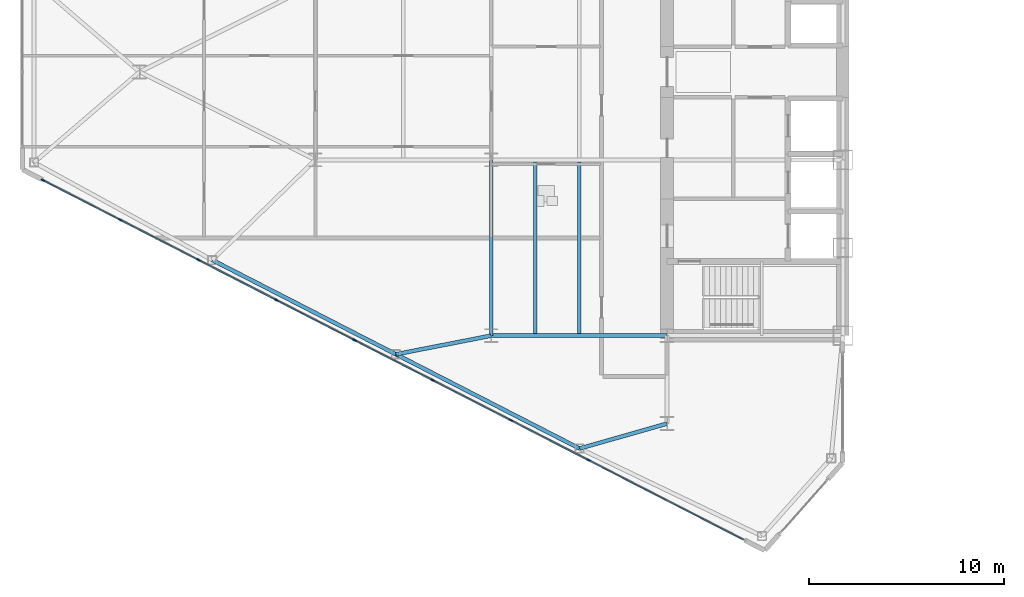
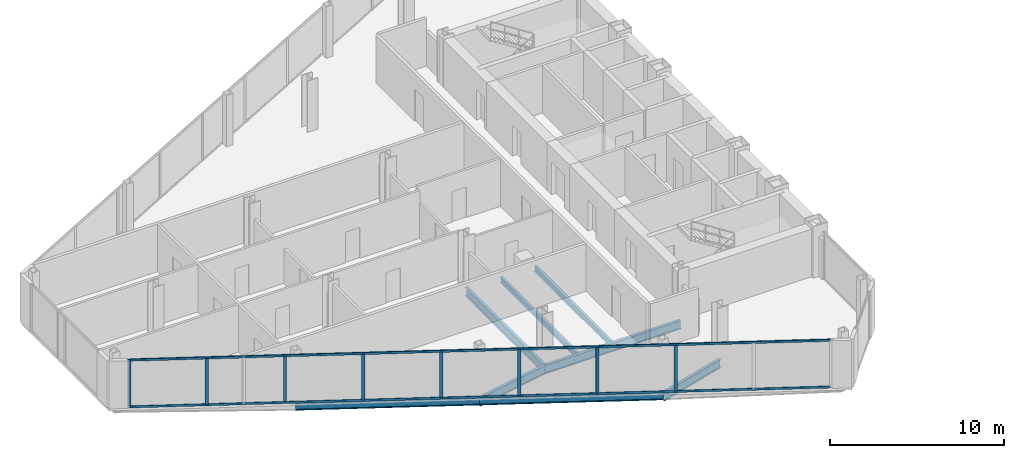
# One storey, part 3 of 23: 10 members, 8 beams, 1 element without a shape of its own.
"""IFC4 building model written with IfcOpenShell, lengths in metres."""

import ifcopenshell
import ifcopenshell.guid

model = None  # the IFC model being written
_history = None  # IfcOwnerHistory: only IFC2X3 demands one
_inside = {}  # id of a spatial element -> (the spatial element, [elements in it])
_under = {}  # id of a project, library or spatial element -> (it, [spatial elements below it])
_declared = {}  # id of a project -> (the project, [libraries it declares])
_typed = {}  # id of a type object -> (the type object, [elements of that type])
_made_of = {}  # id of a material, layer set ... -> (it, [elements and type objects made of it])


def new_model(schema):
    """Start an empty IFC model of exactly this schema.

    Asked for "IFC4X3", IfcOpenShell would pick the latest addendum, in which some entities
    have other attributes; the version numbers below select the first issue.
    IFC2X3 requires an IfcOwnerHistory on every rooted entity: one is made here for all.
    """
    global model, _history
    if schema == "IFC4X3":
        model = ifcopenshell.file(schema_version=(4, 3, 0, 0))
    else:
        model = ifcopenshell.file(schema=schema)
    _inside.clear()
    _under.clear()
    _declared.clear()
    _typed.clear()
    _made_of.clear()
    _history = None
    if model.schema == "IFC2X3":
        org = make("IfcOrganization", Name="unknown")
        user = make(
            "IfcPersonAndOrganization",
            ThePerson=make("IfcPerson", FamilyName="unknown"),
            TheOrganization=org,
        )
        app = make(
            "IfcApplication",
            ApplicationDeveloper=org,
            Version="unknown",
            ApplicationFullName="unknown",
            ApplicationIdentifier="unknown",
        )
        _history = make(
            "IfcOwnerHistory",
            OwningUser=user,
            OwningApplication=app,
            ChangeAction="ADDED",
            CreationDate=0,
        )
    return model


def make(cls, **values):
    """One entity of the class cls with the attributes given. An attribute that is None is left unset."""
    return model.create_entity(
        cls, **{name: value for name, value in values.items() if value is not None}
    )


def rooted(cls, **values):
    """An entity with a GlobalId (a new one), such as an element, a storey or a relation."""
    return make(cls, GlobalId=ifcopenshell.guid.new(), OwnerHistory=_history, **values)


def si_unit(unit_type, name, prefix=None):
    """IfcSIUnit, for example si_unit("LENGTHUNIT", "METRE", prefix="MILLI")."""
    return make("IfcSIUnit", UnitType=unit_type, Prefix=prefix, Name=name)


def assignment(units):
    """IfcUnitAssignment: the units of a project."""
    return None if units is None else make("IfcUnitAssignment", Units=units)


def point(xyz):
    """IfcCartesianPoint."""
    return None if xyz is None else make("IfcCartesianPoint", Coordinates=xyz)


def direction(xyz):
    """IfcDirection."""
    return None if xyz is None else make("IfcDirection", DirectionRatios=xyz)


def frame(location, z_axis=None, x_axis=None):
    """IfcAxis2Placement3D, a coordinate frame: its origin and axes. An axis left out is left unset."""
    return make(
        "IfcAxis2Placement3D",
        Location=point(location),
        Axis=direction(z_axis),
        RefDirection=direction(x_axis),
    )


def frame_2d(location, x_axis=None):
    """IfcAxis2Placement2D, a coordinate frame in the plane: its origin and x axis."""
    return make(
        "IfcAxis2Placement2D", Location=point(location), RefDirection=direction(x_axis)
    )


def origin():
    """The frame at (0, 0, 0) with its axes left unset."""
    return frame((0.0, 0.0, 0.0))


def origin_2d():
    """The frame at (0, 0) in the plane with its x axis left unset."""
    return frame_2d((0.0, 0.0))


def place(relative_to, where):
    """IfcLocalPlacement: puts the frame where relative to a parent placement (None: the world)."""
    return make(
        "IfcLocalPlacement", PlacementRelTo=relative_to, RelativePlacement=where
    )


def context(
    kind, dimensions, precision=None, world=None, true_north=None, identifier=None
):
    """IfcGeometricRepresentationContext, for example the 3D "Model" context."""
    return make(
        "IfcGeometricRepresentationContext",
        ContextIdentifier=identifier,
        ContextType=kind,
        CoordinateSpaceDimension=dimensions,
        Precision=precision,
        WorldCoordinateSystem=world,
        TrueNorth=true_north,
    )


def subcontext(parent, identifier, kind, view, scale=None):
    """IfcGeometricRepresentationSubContext, for example "Body" below "Model"."""
    return make(
        "IfcGeometricRepresentationSubContext",
        ContextIdentifier=identifier,
        ContextType=kind,
        ParentContext=parent,
        TargetScale=scale,
        TargetView=view,
    )


def project(units=None, contexts=None):
    """IfcProject with its units and contexts."""
    return rooted(
        "IfcProject",
        Name="project",
        RepresentationContexts=contexts,
        UnitsInContext=assignment(units),
    )


def spatial(cls, under=None, at=None, **own):
    """A site, building, storey or space (cls), placed at a placement, below another one or the project."""
    s = rooted(cls, ObjectPlacement=at, **own)
    if under is not None:
        _under.setdefault(under.id(), (under, []))[1].append(s)
    return s


def profile(cls, at=None, kind="AREA", **sizes):
    """A parametric profile (cls). Its sizes go by their IFC names, for example OverallWidth=200.0."""
    return make(cls, ProfileType=kind, Position=at, **sizes)


def rectangle(**sizes):
    """IfcRectangleProfileDef."""
    return profile("IfcRectangleProfileDef", **sizes)


def i_section(**sizes):
    """IfcIShapeProfileDef."""
    return profile("IfcIShapeProfileDef", **sizes)


def extrude(swept, where, along, depth):
    """IfcExtrudedAreaSolid: the profile swept, set in the frame where, extruded along a direction by depth."""
    return make(
        "IfcExtrudedAreaSolid",
        SweptArea=swept,
        Position=where,
        ExtrudedDirection=direction(along),
        Depth=depth,
    )


def shape(context_of_items, identifier, shape_type, items):
    """IfcShapeRepresentation: the items that make up one representation, for example the "Body"."""
    return make(
        "IfcShapeRepresentation",
        ContextOfItems=context_of_items,
        RepresentationIdentifier=identifier,
        RepresentationType=shape_type,
        Items=items,
    )


def source(mapping_origin, context_of_items, identifier, shape_type, items):
    """IfcRepresentationMap: a shape defined once, which mapped items show again and again."""
    return make(
        "IfcRepresentationMap",
        MappingOrigin=mapping_origin,
        MappedRepresentation=shape(context_of_items, identifier, shape_type, items),
    )


def transform(
    local_origin,
    x_axis=None,
    y_axis=None,
    z_axis=None,
    scale=None,
    scale2=None,
    scale3=None,
    uniform=True,
):
    """IfcCartesianTransformationOperator3D, or its non-uniform kind. x_axis, y_axis, z_axis: its Axis1, 2, 3."""
    if uniform:
        return make(
            "IfcCartesianTransformationOperator3D",
            Axis1=direction(x_axis),
            Axis2=direction(y_axis),
            LocalOrigin=point(local_origin),
            Scale=scale,
            Axis3=direction(z_axis),
        )
    return make(
        "IfcCartesianTransformationOperator3DnonUniform",
        Axis1=direction(x_axis),
        Axis2=direction(y_axis),
        LocalOrigin=point(local_origin),
        Scale=scale,
        Axis3=direction(z_axis),
        Scale2=scale2,
        Scale3=scale3,
    )


def mapped(mapping_source, mapping_target):
    """IfcMappedItem: shows the shape of a source again, moved by a transform."""
    return make(
        "IfcMappedItem", MappingSource=mapping_source, MappingTarget=mapping_target
    )


def material(Name=None, Category=None):
    """IfcMaterial."""
    return make("IfcMaterial", Name=Name, Category=Category)


def layer(
    of_material, thickness, ventilated=None, Name=None, Category=None, Priority=None
):
    """IfcMaterialLayer: one layer of a wall or slab, of a material (None: an air gap)."""
    return make(
        "IfcMaterialLayer",
        Material=of_material,
        LayerThickness=thickness,
        IsVentilated=ventilated,
        Name=Name,
        Category=Category,
        Priority=Priority,
    )


def layer_set(layers, Name=None):
    """IfcMaterialLayerSet."""
    return make("IfcMaterialLayerSet", MaterialLayers=layers, LayerSetName=Name)


def material_profile(
    of_material, cross_section, Name=None, Category=None, Priority=None
):
    """IfcMaterialProfile: a cross section and its material."""
    return make(
        "IfcMaterialProfile",
        Name=Name,
        Material=of_material,
        Profile=cross_section,
        Priority=Priority,
        Category=Category,
    )


def profile_set(profiles, Name=None, composite=None):
    """IfcMaterialProfileSet."""
    return make(
        "IfcMaterialProfileSet",
        Name=Name,
        MaterialProfiles=profiles,
        CompositeProfile=composite,
    )


def made_of(thing, what):
    """Note that an element or type object is made of a material, layer set ...; save() writes the relation."""
    if what is not None:
        _made_of.setdefault(what.id(), (what, []))[1].append(thing)
    return thing


def type_object(cls, material=None, **own):
    """A type object (cls), such as IfcWallType, which elements share."""
    return made_of(rooted(cls, **own), material)


def type_shapes(of_type, sources):
    """Give a type object the sources (RepresentationMaps) that its elements show as mapped items."""
    of_type.RepresentationMaps = sources


def element(
    cls,
    number,
    at=None,
    inside=None,
    cuts=None,
    type_object=None,
    material=None,
    context=None,
    identifier="Body",
    shape_type=None,
    held_by="IfcProductDefinitionShape",
    body=None,
    shapes=None,
    **own,
):
    """One element of the class cls, such as IfcWall. Its Tag is "e" and its number.

    at: its placement. inside: the storey or other place that contains it. cuts: it is an
    opening in that element (IfcRelVoidsElement). A single representation is given by context,
    identifier, shape_type and body (its items); several are given by shapes. held_by: the class
    of the entity that holds the representations. save() writes the other relations.
    """
    e = rooted(cls, Tag="e%d" % number, ObjectPlacement=at, **own)
    if body is not None:
        shapes = [shape(context, identifier, shape_type, body)]
    if shapes is not None:
        e.Representation = make(held_by, Representations=shapes)
    if inside is not None:
        _inside.setdefault(inside.id(), (inside, []))[1].append(e)
    if cuts is not None:
        rooted(
            "IfcRelVoidsElement", RelatingBuildingElement=cuts, RelatedOpeningElement=e
        )
    if type_object is not None:
        _typed.setdefault(type_object.id(), (type_object, []))[1].append(e)
    return made_of(e, material)


def aggregate(whole, parts):
    """IfcRelAggregates: a whole, such as a stair, and the parts it consists of."""
    return rooted("IfcRelAggregates", RelatingObject=whole, RelatedObjects=parts)


def save(model, path):
    """Write the relations noted so far, then the file.

    IfcRelAggregates (storeys below a building ...), IfcRelContainedInSpatialStructure (elements
    in a storey), IfcRelDefinesByType, IfcRelAssociatesMaterial and IfcRelDeclares: one each for
    every whole, place, type object, material and project.
    """
    for whole, parts in _under.values():
        aggregate(whole, parts)
    for where, things in _inside.values():
        rooted(
            "IfcRelContainedInSpatialStructure",
            RelatedElements=things,
            RelatingStructure=where,
        )
    for kind, things in _typed.values():
        rooted("IfcRelDefinesByType", RelatedObjects=things, RelatingType=kind)
    for what, things in _made_of.values():
        rooted("IfcRelAssociatesMaterial", RelatedObjects=things, RelatingMaterial=what)
    for by, libraries in _declared.values():
        rooted("IfcRelDeclares", RelatingContext=by, RelatedDefinitions=libraries)
    model.write(path)


model = new_model("IFC4")

# Units and contexts
model_context = context("Model", 3, precision=1e-05, world=origin(), true_north=direction((0.0, 1.0)))
body_context = subcontext(model_context, "Body", "Model", "MODEL_VIEW")
ifc_project = project(units=[si_unit("LENGTHUNIT", "METRE"), si_unit("AREAUNIT", "SQUARE_METRE"), si_unit("VOLUMEUNIT", "CUBIC_METRE"), si_unit("PLANEANGLEUNIT", "RADIAN"), si_unit("MASSUNIT", "GRAM", prefix="KILO")], contexts=[model_context])

# Site, building, storey
site_placement = place(None, origin())
site = spatial("IfcSite", under=ifc_project, at=site_placement, CompositionType="ELEMENT")
building_placement = place(site_placement, origin())
building = spatial("IfcBuilding", under=site, at=building_placement, Name="Seokmaru Belvedere", CompositionType="ELEMENT")
storey_placement = place(building_placement, frame((0.0, 0.0, 132.0)))
storey = spatial("IfcBuildingStorey", under=building, at=storey_placement, Name="L35", CompositionType="ELEMENT", Elevation=132.0)

# Beams
ifc_material_1 = material(Name="Steel SM355 (355 MPa)", Category="steel")
ifc_material_profile_1 = material_profile(ifc_material_1, i_section(OverallWidth=0.199951171875, OverallDepth=0.60009765625, WebThickness=0.010986328125, FlangeThickness=0.01708984375, at=origin_2d()), Name="H-600x200x11x17")
ifc_profile_set_1 = profile_set([ifc_material_profile_1], Name="Steel SM355 (355 MPa)")
beam_type_1 = type_object("IfcBeamType", Name="Primary Floor Girder H-600", PredefinedType="BEAM", material=ifc_profile_set_1)
shared_shape_1 = source(origin(), body_context, "Body", "SweptSolid", [
    extrude(i_section(OverallWidth=0.199951171875, OverallDepth=0.60009765625, WebThickness=0.010986328125, FlangeThickness=0.01708984375, at=origin_2d()), origin(), (0.0, 0.0, 1.0), 9.0),
])
for number, where, z_axis, x_axis, name in (
    (1, (-45.5, -13.5, -0.52001953125), (0.0, 1.0, 0.0), (-1.0, 0.0, 0.0), "L35 W Interior Grid Girder 1"),
    (2, (-45.5, -13.5, -0.52001953125), (1.0, 0.0, 0.0), (0.0, 1.0, 0.0), "L35 W Wing Primary Girder 1"),
):
    element("IfcBeam", number, at=place(storey_placement, frame(where, z_axis=z_axis, x_axis=x_axis)), inside=storey, type_object=beam_type_1, Name=name, PredefinedType="BEAM", context=body_context, shape_type="MappedRepresentation", body=[
        mapped(shared_shape_1, transform((0.0, 0.0, 0.0), scale=1.0)),
    ])
ifc_material_profile_2 = material_profile(ifc_material_1, i_section(OverallWidth=0.18505859375, OverallDepth=0.389892578125, WebThickness=0.008056640625, FlangeThickness=0.011962890625, at=origin_2d()), Name="H-390x185x8x12")
ifc_profile_set_2 = profile_set([ifc_material_profile_2], Name="Steel SM355 (355 MPa)")
beam_type_2 = type_object("IfcBeamType", Name="Secondary Floor Joist H-350", PredefinedType="JOIST", material=ifc_profile_set_2)
shared_shape_2 = source(origin(), body_context, "Body", "SweptSolid", [
    extrude(i_section(OverallWidth=0.18505859375, OverallDepth=0.389892578125, WebThickness=0.008056640625, FlangeThickness=0.011962890625, at=origin_2d()), origin(), (0.0, 0.0, 1.0), 8.7900390625),
])
type_shapes(beam_type_2, [shared_shape_2])
for number, where, z_axis, x_axis, name in (
    (3, (-43.25, -13.39501953125, -0.4150390625), (0.0, 1.0, 0.0), (-1.0, 0.0, 0.0), "L35 W Wing Inner Secondary Joist 1"),
    (4, (-41.0, -13.39501953125, -0.4150390625), (0.0, 1.0, 0.0), (-1.0, 0.0, 0.0), "L35 W Secondary Floor Joist 1"),
):
    element("IfcBeam", number, at=place(storey_placement, frame(where, z_axis=z_axis, x_axis=x_axis)), inside=storey, type_object=beam_type_2, Name=name, PredefinedType="JOIST", context=body_context, shape_type="MappedRepresentation", body=[
        mapped(shared_shape_2, transform((0.0, 0.0, 0.0), scale=1.0)),
    ])
ifc_material_profile_3 = material_profile(ifc_material_1, i_section(OverallWidth=0.199951171875, OverallDepth=0.5, WebThickness=0.010009765625, FlangeThickness=0.01611328125, at=origin_2d()), Name="H-500x200x10x16")
ifc_profile_set_3 = profile_set([ifc_material_profile_3], Name="Steel SM355 (355 MPa)")
beam_type_3 = type_object("IfcBeamType", Name="Perimeter Spandrel Beam H-500", PredefinedType="SPANDREL", material=ifc_profile_set_3)
shared_shape_3 = source(origin(), body_context, "Body", "SweptSolid", [
    extrude(i_section(OverallWidth=0.199951171875, OverallDepth=0.5, WebThickness=0.010009765625, FlangeThickness=0.01611328125, at=origin_2d()), origin(), (0.0, 0.0, 1.0), 10.56689453125),
])
type_shapes(beam_type_3, [shared_shape_3])
for number, where, z_axis, x_axis, name in (
    (5, (-40.975830078125, -19.277587890625, -0.469970703125), (-0.889701972758, 0.45654178305, 0.0), (-0.45654178305, -0.889701972758, 0.0), "L35 W Faceted Flank Spandrel S-2"),
    (6, (-50.377197265625, -14.453369140625, -0.469970703125), (-0.889692588006, 0.456560071455, 0.0), (-0.456560071455, -0.889692588006, 0.0), "L35 W Faceted Flank Spandrel S-3"),
):
    element("IfcBeam", number, at=place(storey_placement, frame(where, z_axis=z_axis, x_axis=x_axis)), inside=storey, type_object=beam_type_3, Name=name, PredefinedType="SPANDREL", context=body_context, shape_type="MappedRepresentation", body=[
        mapped(shared_shape_3, transform((0.0, 0.0, 0.0), scale=1.0)),
    ])
shared_shape_4 = source(origin(), body_context, "Body", "SweptSolid", [
    extrude(i_section(OverallWidth=0.199951171875, OverallDepth=0.60009765625, WebThickness=0.010986328125, FlangeThickness=0.01708984375, at=origin_2d()), origin(), (0.0, 0.0, 1.0), 4.654541015625),
])
beam_1_placement = place(storey_placement, frame((-40.975830078125, -19.277587890625, -0.52001953125), z_axis=(0.961593192625, 0.274478654721, 0.0), x_axis=(-0.274478654721, 0.961593192625, 0.0)))
element("IfcBeam", 7, at=beam_1_placement, inside=storey, type_object=beam_type_1, Name="L35 W Flank Radial Floor Girder S-1", PredefinedType="BEAM", context=body_context, shape_type="MappedRepresentation", body=[
    mapped(shared_shape_4, transform((0.0, 0.0, 0.0), scale=1.0)),
])
shared_shape_5 = source(origin(), body_context, "Body", "SweptSolid", [
    extrude(i_section(OverallWidth=0.199951171875, OverallDepth=0.60009765625, WebThickness=0.010986328125, FlangeThickness=0.01708984375, at=origin_2d()), origin(), (0.0, 0.0, 1.0), 4.969482421875),
])
type_shapes(beam_type_1, [shared_shape_1, shared_shape_4, shared_shape_5])
beam_2_placement = place(storey_placement, frame((-50.377197265625, -14.453369140625, -0.52001953125), z_axis=(0.98142544456, 0.19184393858, 0.0), x_axis=(-0.19184393858, 0.98142544456, 0.0)))
element("IfcBeam", 8, at=beam_2_placement, inside=storey, type_object=beam_type_1, Name="L35 W Flank Radial Floor Girder S-2", PredefinedType="BEAM", context=body_context, shape_type="MappedRepresentation", body=[
    mapped(shared_shape_5, transform((0.0, 0.0, 0.0), scale=1.0)),
])

# Curtain wall, members
ifc_material_2 = material(Name="Bronze Triple Insulating Glass", Category="glass")
ifc_layer = layer(ifc_material_2, 0.195068359375)
ifc_layer_set = layer_set([ifc_layer], Name="Bronze Triple Insulating Glass")
curtain_wall_type = type_object("IfcCurtainWallType", Name="Sky-Lobby and Mid-Rise Curtain Wall System CW-4", PredefinedType="NOTDEFINED", material=ifc_layer_set)
curtain_wall_placement = place(storey_placement, origin())
curtain_wall = element("IfcCurtainWall", 9, at=curtain_wall_placement, inside=storey, type_object=curtain_wall_type, Name="L35 Curtain Wall WF5", PredefinedType="NOTDEFINED")
ifc_material_3 = material(Name="Anodised Bronze Aluminium", Category="aluminium")
ifc_material_profile_4 = material_profile(ifc_material_3, rectangle(XDim=0.070068359375, YDim=0.195068359375, at=origin_2d()), Name="CW-M-70x195")
ifc_profile_set_4 = profile_set([ifc_material_profile_4], Name="Anodised Bronze Aluminium")
member_type_1 = type_object("IfcMemberType", Name="Bronze Unitised Mullion 70x195", PredefinedType="MULLION", material=ifc_profile_set_4)
shared_shape_6 = source(origin(), body_context, "Body", "SweptSolid", [
    extrude(rectangle(XDim=0.070068359375, YDim=0.195068359375, at=origin_2d()), origin(), (0.0, 0.0, 1.0), 3.340087890625),
])
member_1_placement = place(storey_placement, frame((-68.44580078125, -5.541015625, 0.0), z_axis=(0.0, 0.0, 1.0), x_axis=(0.456554528263, 0.889695432562, 0.0)))
member_1 = element("IfcMember", 10, at=member_1_placement, type_object=member_type_1, Name="CW:L35:WF5 Mullion 1", PredefinedType="MULLION", context=body_context, shape_type="MappedRepresentation", body=[
    mapped(shared_shape_6, transform((0.0, 0.0, 0.0), scale=1.0)),
])
ifc_material_profile_5 = material_profile(ifc_material_3, rectangle(XDim=0.06494140625, YDim=0.14990234375, at=origin_2d()), Name="CW-T-65x150")
ifc_profile_set_5 = profile_set([ifc_material_profile_5], Name="Anodised Bronze Aluminium")
member_type_2 = type_object("IfcMemberType", Name="Bronze Unitised Transom 65x150", PredefinedType="USERDEFINED", material=ifc_profile_set_5)
shared_shape_7 = source(origin(), body_context, "Body", "SweptSolid", [
    extrude(rectangle(XDim=0.06494140625, YDim=0.14990234375, at=origin_2d()), origin(), (0.0, 0.0, 1.0), 40.271240234375),
])
type_shapes(member_type_2, [shared_shape_7])
member_2_placement = place(storey_placement, frame((-68.41455078125, -5.556884765625, 0.032470703125), z_axis=(0.889693089107, -0.456559094965, 0.0), x_axis=(0.456559094965, 0.889693089107, 0.0)))
member_2 = element("IfcMember", 11, at=member_2_placement, type_object=member_type_2, Name="CW:L35:WF5 Continuous Transom 1", ObjectType="TRANSOM", PredefinedType="USERDEFINED", context=body_context, shape_type="MappedRepresentation", body=[
    mapped(shared_shape_7, transform((0.0, 0.0, 0.0), scale=1.0)),
])
member_3_placement = place(storey_placement, frame((-68.41455078125, -5.556884765625, 3.3076171875), z_axis=(0.889693089107, -0.456559094965, 0.0), x_axis=(0.456559094965, 0.889693089107, 0.0)))
member_3 = element("IfcMember", 12, at=member_3_placement, type_object=member_type_2, Name="CW:L35:WF5 Continuous Transom 2", ObjectType="TRANSOM", PredefinedType="USERDEFINED", context=body_context, shape_type="MappedRepresentation", body=[
    mapped(shared_shape_7, transform((0.0, 0.0, 0.0), scale=1.0)),
])
shared_shape_8 = source(origin(), body_context, "Body", "SweptSolid", [
    extrude(rectangle(XDim=0.070068359375, YDim=0.195068359375, at=origin_2d()), origin(), (0.0, 0.0, 1.0), 3.2099609375),
])
type_shapes(member_type_1, [shared_shape_6, shared_shape_8])
member_4_placement = place(storey_placement, frame((-64.48193359375, -7.574951171875, 0.06494140625), z_axis=(0.0, 0.0, 1.0), x_axis=(0.456554528263, 0.889695432562, 0.0)))
member_4 = element("IfcMember", 13, at=member_4_placement, type_object=member_type_1, Name="CW:L35:WF5 Mullion 2", PredefinedType="MULLION", context=body_context, shape_type="MappedRepresentation", body=[
    mapped(shared_shape_8, transform((0.0, 0.0, 0.0), scale=1.0)),
])
member_5_placement = place(storey_placement, frame((-60.4873046875, -9.625, 0.06494140625), z_axis=(0.0, 0.0, 1.0), x_axis=(0.456554528263, 0.889695432562, 0.0)))
member_5 = element("IfcMember", 14, at=member_5_placement, type_object=member_type_1, Name="CW:L35:WF5 Mullion 3", PredefinedType="MULLION", context=body_context, shape_type="MappedRepresentation", body=[
    mapped(shared_shape_8, transform((0.0, 0.0, 0.0), scale=1.0)),
])
member_6_placement = place(storey_placement, frame((-56.4921875, -11.675048828125, 0.06494140625), z_axis=(0.0, 0.0, 1.0), x_axis=(0.456554528263, 0.889695432562, 0.0)))
member_6 = element("IfcMember", 15, at=member_6_placement, type_object=member_type_1, Name="CW:L35:WF5 Mullion 4", PredefinedType="MULLION", context=body_context, shape_type="MappedRepresentation", body=[
    mapped(shared_shape_8, transform((0.0, 0.0, 0.0), scale=1.0)),
])
member_7_placement = place(storey_placement, frame((-52.497314453125, -13.72509765625, 0.06494140625), z_axis=(0.0, 0.0, 1.0), x_axis=(0.456554528263, 0.889695432562, 0.0)))
member_7 = element("IfcMember", 16, at=member_7_placement, type_object=member_type_1, Name="CW:L35:WF5 Mullion 5", PredefinedType="MULLION", context=body_context, shape_type="MappedRepresentation", body=[
    mapped(shared_shape_8, transform((0.0, 0.0, 0.0), scale=1.0)),
])
member_8_placement = place(storey_placement, frame((-48.502685546875, -15.77490234375, 0.06494140625), z_axis=(0.0, 0.0, 1.0), x_axis=(0.456554528263, 0.889695432562, 0.0)))
member_8 = element("IfcMember", 17, at=member_8_placement, type_object=member_type_1, Name="CW:L35:WF5 Mullion 6", PredefinedType="MULLION", context=body_context, shape_type="MappedRepresentation", body=[
    mapped(shared_shape_8, transform((0.0, 0.0, 0.0), scale=1.0)),
])
member_9_placement = place(storey_placement, frame((-44.5078125, -17.824951171875, 0.06494140625), z_axis=(0.0, 0.0, 1.0), x_axis=(0.456554528263, 0.889695432562, 0.0)))
member_9 = element("IfcMember", 18, at=member_9_placement, type_object=member_type_1, Name="CW:L35:WF5 Mullion 7", PredefinedType="MULLION", context=body_context, shape_type="MappedRepresentation", body=[
    mapped(shared_shape_8, transform((0.0, 0.0, 0.0), scale=1.0)),
])
member_10_placement = place(storey_placement, frame((-40.5126953125, -19.875, 0.06494140625), z_axis=(0.0, 0.0, 1.0), x_axis=(0.456554528263, 0.889695432562, 0.0)))
member_10 = element("IfcMember", 19, at=member_10_placement, type_object=member_type_1, Name="CW:L35:WF5 Mullion 8", PredefinedType="MULLION", context=body_context, shape_type="MappedRepresentation", body=[
    mapped(shared_shape_8, transform((0.0, 0.0, 0.0), scale=1.0)),
])
aggregate(curtain_wall, [member_1, member_4, member_5, member_6, member_7, member_8, member_9, member_10, member_2, member_3])

save(model, "model.ifc")
